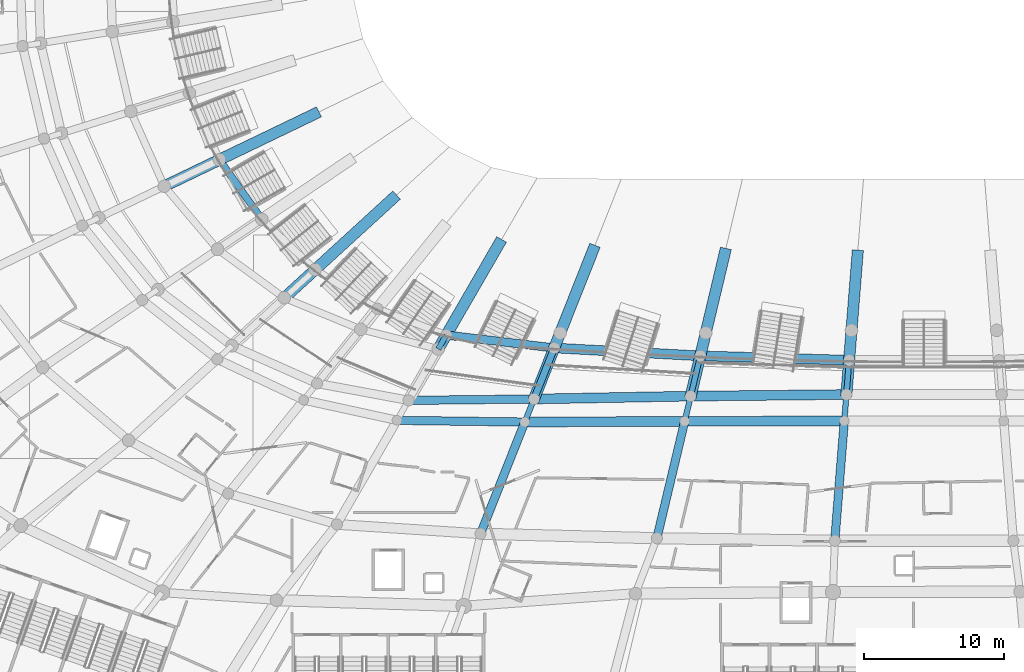
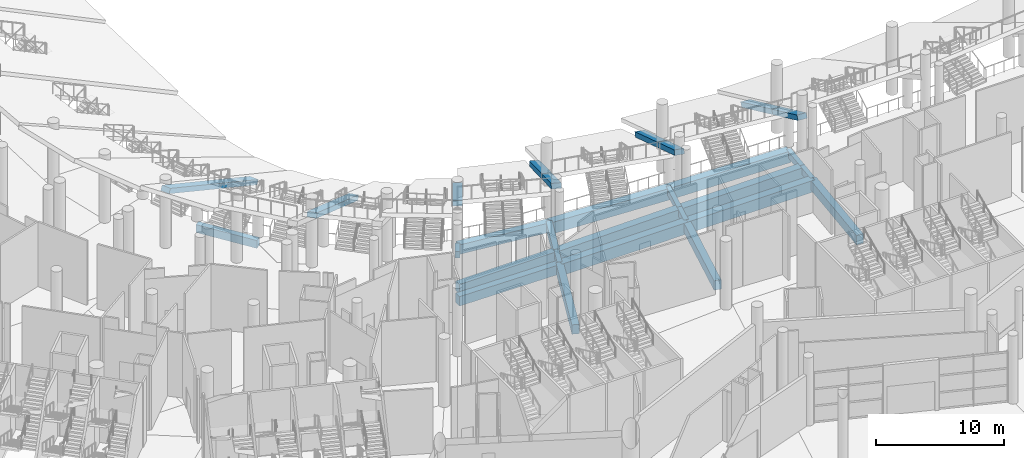
# One storey, part 23 of 255: 29 beams.
"""IFC4 building model written with IfcOpenShell, lengths in metres."""

from ifc_helpers import new_model, si_unit, direction, frame, origin, origin_2d, place, context, subcontext, project, spatial, rectangle, extrude, material, material_profile, profile_set, type_object, element, save


model = new_model("IFC4")

# Units and contexts
model_context = context("Model", 3, precision=1e-05, world=origin(), true_north=direction((0.0, 1.0)))
body_context = subcontext(model_context, "Body", "Model", "MODEL_VIEW")
ifc_project = project(units=[si_unit("LENGTHUNIT", "METRE"), si_unit("AREAUNIT", "SQUARE_METRE"), si_unit("VOLUMEUNIT", "CUBIC_METRE"), si_unit("PLANEANGLEUNIT", "RADIAN"), si_unit("MASSUNIT", "GRAM", prefix="KILO")], contexts=[model_context])

# Site, building, storey
site_placement = place(None, origin())
site = spatial("IfcSite", under=ifc_project, at=site_placement, CompositionType="ELEMENT")
building_placement = place(site_placement, origin())
building = spatial("IfcBuilding", under=site, at=building_placement, Name="Meseta Stadium", CompositionType="ELEMENT")
storey_placement = place(building_placement, origin())
storey = spatial("IfcBuildingStorey", under=building, at=storey_placement, Name="L00", CompositionType="ELEMENT", Elevation=0.0)

# Beams
ifc_material_1 = material(Name="Concrete C40/50", Category="concrete")
ifc_material_profile_1 = material_profile(ifc_material_1, rectangle(XDim=0.39990234375, YDim=0.60009765625, at=origin_2d()), Name="RC 400x600")
ifc_profile_set_1 = profile_set([ifc_material_profile_1], Name="Concrete C40/50")
beam_type_1 = type_object("IfcBeamType", Name="RC beam 400x600", PredefinedType="BEAM", material=ifc_profile_set_1)
beam_1_placement = place(storey_placement, frame((-34.185302734375, -71.16064453125, -0.699951171875), z_axis=(-0.500408466565, -0.865789447031, 0.0), x_axis=(0.865789447031, -0.500408466565, 0.0)))
element("IfcBeam", 1, at=beam_1_placement, inside=storey, type_object=beam_type_1, Name="L00 radial beam frame 43 line B to U", PredefinedType="BEAM", context=body_context, shape_type="SweptSolid", body=[
    extrude(rectangle(XDim=0.39990234375, YDim=0.60009765625, at=origin_2d()), origin(), (0.0, 0.0, 1.0), 1.14990234375),
])
beam_2_placement = place(storey_placement, frame((-27.910888671875, -75.735595703125, -0.699951171875), z_axis=(-0.368824744702, -0.929498955188, 0.0), x_axis=(0.929498955188, -0.368824744702, 0.0)))
element("IfcBeam", 2, at=beam_2_placement, inside=storey, type_object=beam_type_1, Name="L00 radial beam frame 44 line C to D", PredefinedType="BEAM", context=body_context, shape_type="SweptSolid", body=[
    extrude(rectangle(XDim=0.39990234375, YDim=0.60009765625, at=origin_2d()), origin(), (0.0, 0.0, 1.0), 1.772705078125),
])
beam_3_placement = place(storey_placement, frame((-16.010986328125, -72.646484375, -0.699951171875), z_axis=(-0.231665078312, -0.972795606225, 0.0), x_axis=(0.972795606225, -0.231665078312, 0.0)))
element("IfcBeam", 3, at=beam_3_placement, inside=storey, type_object=beam_type_1, Name="L00 radial beam frame 45 line B to C", PredefinedType="BEAM", context=body_context, shape_type="SweptSolid", body=[
    extrude(rectangle(XDim=0.39990234375, YDim=0.60009765625, at=origin_2d()), origin(), (0.0, 0.0, 1.0), 2.96337890625),
])
beam_4_placement = place(storey_placement, frame((-16.697509765625, -75.529296875, -0.699951171875), z_axis=(-0.231608653228, -0.97280904177, 0.0), x_axis=(0.97280904177, -0.231608653228, 0.0)))
element("IfcBeam", 4, at=beam_4_placement, inside=storey, type_object=beam_type_1, Name="L00 radial beam frame 45 line C to D", PredefinedType="BEAM", context=body_context, shape_type="SweptSolid", body=[
    extrude(rectangle(XDim=0.39990234375, YDim=0.60009765625, at=origin_2d()), origin(), (0.0, 0.0, 1.0), 1.85302734375),
])
beam_5_placement = place(storey_placement, frame((-5.36181640625, -72.959228515625, -0.699951171875), z_axis=(-0.079091287257, -0.996867377478, 0.0), x_axis=(0.996867377478, -0.079091287257, 0.0)))
element("IfcBeam", 5, at=beam_5_placement, inside=storey, type_object=beam_type_1, Name="L00 radial beam frame 46 line B to C", PredefinedType="BEAM", context=body_context, shape_type="SweptSolid", body=[
    extrude(rectangle(XDim=0.39990234375, YDim=0.60009765625, at=origin_2d()), origin(), (0.0, 0.0, 1.0), 2.46337890625),
])
beam_6_placement = place(storey_placement, frame((-5.556640625, -75.414794921875, -0.699951171875), z_axis=(-0.079110203973, -0.996865876448, 0.0), x_axis=(0.996865876448, -0.079110203973, 0.0)))
element("IfcBeam", 6, at=beam_6_placement, inside=storey, type_object=beam_type_1, Name="L00 radial beam frame 46 line C to D", PredefinedType="BEAM", context=body_context, shape_type="SweptSolid", body=[
    extrude(rectangle(XDim=0.39990234375, YDim=0.60009765625, at=origin_2d()), origin(), (0.0, 0.0, 1.0), 1.894775390625),
])
ifc_material_2 = material(Name="Concrete C40/50", Category="concrete")
ifc_material_profile_2 = material_profile(ifc_material_2, rectangle(XDim=0.5, YDim=0.75, at=origin_2d()), Name="RC 500x750")
ifc_profile_set_2 = profile_set([ifc_material_profile_2], Name="Concrete C40/50")
beam_type_2 = type_object("IfcBeamType", Name="RC beam 500x750", PredefinedType="BEAM", material=ifc_profile_set_2)
beam_7_placement = place(storey_placement, frame((-50.41650390625, -58.61474609375, -0.77490234375), z_axis=(0.579777051217, -0.814775165848, 0.0), x_axis=(0.814775165848, 0.579777051217, 0.0)))
element("IfcBeam", 7, at=beam_7_placement, inside=storey, type_object=beam_type_2, Name="L00 ring beam frame 39 line B", PredefinedType="BEAM", context=body_context, shape_type="SweptSolid", body=[
    extrude(rectangle(XDim=0.5, YDim=0.75, at=origin_2d()), origin(), (0.0, 0.0, 1.0), 5.235107421875),
])
beam_8_placement = place(storey_placement, frame((-26.461669921875, -72.08349609375, -0.77490234375), z_axis=(-0.368839555562, -0.929493078109, 0.0), x_axis=(0.929493078109, -0.368839555562, 0.0)))
element("IfcBeam", 8, at=beam_8_placement, inside=storey, type_object=beam_type_2, Name="L00 radial beam frame 44 line B to C", PredefinedType="BEAM", context=body_context, shape_type="SweptSolid", body=[
    extrude(rectangle(XDim=0.5, YDim=0.75, at=origin_2d()), origin(), (0.0, 0.0, 1.0), 3.92919921875),
])
ifc_material_3 = material(Name="Concrete C40/50", Category="concrete")
ifc_material_profile_3 = material_profile(ifc_material_3, rectangle(XDim=0.60009765625, YDim=0.89990234375, at=origin_2d()), Name="RC 600x900")
ifc_profile_set_3 = profile_set([ifc_material_profile_3], Name="Concrete C40/50")
beam_type_3 = type_object("IfcBeamType", Name="RC beam 600x900", PredefinedType="BEAM", material=ifc_profile_set_3)
beam_9_placement = place(storey_placement, frame((-34.185302734375, -71.16064453125, -0.85009765625), z_axis=(0.992937304474, -0.118640251957, 0.0), x_axis=(0.118640251957, 0.992937304474, 0.0)))
element("IfcBeam", 9, at=beam_9_placement, inside=storey, type_object=beam_type_3, Name="L00 ring beam frame 43 line B", PredefinedType="BEAM", context=body_context, shape_type="SweptSolid", body=[
    extrude(rectangle(XDim=0.60009765625, YDim=0.89990234375, at=origin_2d()), origin(), (0.0, 0.0, 1.0), 7.778564453125),
])
beam_10_placement = place(storey_placement, frame((-36.885986328125, -75.8330078125, -0.85009765625), z_axis=(0.9999411049, 0.010852959601, 0.0), x_axis=(-0.010852959601, 0.9999411049, 0.0)))
element("IfcBeam", 10, at=beam_10_placement, inside=storey, type_object=beam_type_3, Name="L00 ring beam frame 43 line C", PredefinedType="BEAM", context=body_context, shape_type="SweptSolid", body=[
    extrude(rectangle(XDim=0.60009765625, YDim=0.89990234375, at=origin_2d()), origin(), (0.0, 0.0, 1.0), 8.9755859375),
])
beam_11_placement = place(storey_placement, frame((-37.711669921875, -77.26171875, -0.85009765625), z_axis=(0.999911672388, -0.013290877405, 0.0), x_axis=(0.013290877405, 0.999911672388, 0.0)))
element("IfcBeam", 11, at=beam_11_placement, inside=storey, type_object=beam_type_3, Name="L00 ring beam frame 43 line D", PredefinedType="BEAM", context=body_context, shape_type="SweptSolid", body=[
    extrude(rectangle(XDim=0.60009765625, YDim=0.89990234375, at=origin_2d()), origin(), (0.0, 0.0, 1.0), 9.147705078125),
])
beam_12_placement = place(storey_placement, frame((-28.564697265625, -77.38330078125, -0.85009765625), z_axis=(-0.36885875695, -0.929485458424, 0.0), x_axis=(0.929485458424, -0.36885875695, 0.0)))
element("IfcBeam", 12, at=beam_12_placement, inside=storey, type_object=beam_type_3, Name="L00 radial beam frame 44 line D to E", PredefinedType="BEAM", context=body_context, shape_type="SweptSolid", body=[
    extrude(rectangle(XDim=0.60009765625, YDim=0.89990234375, at=origin_2d()), origin(), (0.0, 0.0, 1.0), 8.599853515625),
])
beam_13_placement = place(storey_placement, frame((-17.126708984375, -77.33203125, -0.85009765625), z_axis=(-0.23161924801, -0.972806519279, 0.0), x_axis=(0.972806519279, -0.23161924801, 0.0)))
element("IfcBeam", 13, at=beam_13_placement, inside=storey, type_object=beam_type_3, Name="L00 radial beam frame 45 line D to E", PredefinedType="BEAM", context=body_context, shape_type="SweptSolid", body=[
    extrude(rectangle(XDim=0.60009765625, YDim=0.89990234375, at=origin_2d()), origin(), (0.0, 0.0, 1.0), 8.60009765625),
])
beam_14_placement = place(storey_placement, frame((-5.70654296875, -77.3037109375, -0.85009765625), z_axis=(-0.079118987749, -0.996865179338, 0.0), x_axis=(0.996865179338, -0.079118987749, 0.0)))
element("IfcBeam", 14, at=beam_14_placement, inside=storey, type_object=beam_type_3, Name="L00 radial beam frame 46 line D to E", PredefinedType="BEAM", context=body_context, shape_type="SweptSolid", body=[
    extrude(rectangle(XDim=0.60009765625, YDim=0.89990234375, at=origin_2d()), origin(), (0.0, 0.0, 1.0), 8.599853515625),
])
ifc_material_4 = material(Name="Concrete C40/50", Category="concrete")
ifc_material_profile_4 = material_profile(ifc_material_4, rectangle(XDim=0.699951171875, YDim=1.10009765625, at=origin_2d()), Name="RC 700x1100")
ifc_profile_set_4 = profile_set([ifc_material_profile_4], Name="Concrete C40/50")
beam_type_4 = type_object("IfcBeamType", Name="RC beam 700x1100", PredefinedType="BEAM", material=ifc_profile_set_4)
beam_15_placement = place(storey_placement, frame((-26.461669921875, -72.08349609375, -0.949951171875), z_axis=(0.998552110885, -0.053792953504, 0.0), x_axis=(0.053792953504, 0.998552110885, 0.0)))
element("IfcBeam", 15, at=beam_15_placement, inside=storey, type_object=beam_type_4, Name="L00 ring beam frame 44 line B", PredefinedType="BEAM", context=body_context, shape_type="SweptSolid", body=[
    extrude(rectangle(XDim=0.699951171875, YDim=1.10009765625, at=origin_2d()), origin(), (0.0, 0.0, 1.0), 10.4658203125),
])
beam_16_placement = place(storey_placement, frame((-27.910888671875, -75.735595703125, -0.949951171875), z_axis=(0.999830807814, 0.018394448783, 0.0), x_axis=(-0.018394448783, 0.999830807814, 0.0)))
element("IfcBeam", 16, at=beam_16_placement, inside=storey, type_object=beam_type_4, Name="L00 ring beam frame 44 line C", PredefinedType="BEAM", context=body_context, shape_type="SweptSolid", body=[
    extrude(rectangle(XDim=0.699951171875, YDim=1.10009765625, at=origin_2d()), origin(), (0.0, 0.0, 1.0), 11.21533203125),
])
beam_17_placement = place(storey_placement, frame((-28.564697265625, -77.38330078125, -0.949951171875), z_axis=(0.999989954239, 0.004482345579, 0.0), x_axis=(-0.004482345579, 0.999989954239, 0.0)))
element("IfcBeam", 17, at=beam_17_placement, inside=storey, type_object=beam_type_4, Name="L00 ring beam frame 44 line D", PredefinedType="BEAM", context=body_context, shape_type="SweptSolid", body=[
    extrude(rectangle(XDim=0.699951171875, YDim=1.10009765625, at=origin_2d()), origin(), (0.0, 0.0, 1.0), 11.43798828125),
])
beam_18_placement = place(storey_placement, frame((-16.010986328125, -72.646484375, -0.949951171875), z_axis=(0.999569040917, -0.029355279612, 0.0), x_axis=(0.029355279612, 0.999569040917, 0.0)))
element("IfcBeam", 18, at=beam_18_placement, inside=storey, type_object=beam_type_4, Name="L00 ring beam frame 45 line B", PredefinedType="BEAM", context=body_context, shape_type="SweptSolid", body=[
    extrude(rectangle(XDim=0.699951171875, YDim=1.10009765625, at=origin_2d()), origin(), (0.0, 0.0, 1.0), 10.65380859375),
])
beam_19_placement = place(storey_placement, frame((-16.697509765625, -75.529296875, -0.949951171875), z_axis=(0.99994718914, 0.010277107175, 0.0), x_axis=(-0.010277107175, 0.99994718914, 0.0)))
element("IfcBeam", 19, at=beam_19_placement, inside=storey, type_object=beam_type_4, Name="L00 ring beam frame 45 line C", PredefinedType="BEAM", context=body_context, shape_type="SweptSolid", body=[
    extrude(rectangle(XDim=0.699951171875, YDim=1.10009765625, at=origin_2d()), origin(), (0.0, 0.0, 1.0), 11.141357421875),
])
beam_20_placement = place(storey_placement, frame((-17.126708984375, -77.33203125, -0.949951171875), z_axis=(0.999996925183, 0.002479843584, 0.0), x_axis=(-0.002479843584, 0.999996925183, 0.0)))
element("IfcBeam", 20, at=beam_20_placement, inside=storey, type_object=beam_type_4, Name="L00 ring beam frame 45 line D", PredefinedType="BEAM", context=body_context, shape_type="SweptSolid", body=[
    extrude(rectangle(XDim=0.699951171875, YDim=1.10009765625, at=origin_2d()), origin(), (0.0, 0.0, 1.0), 11.420166015625),
])
ifc_material_5 = material(Name="Concrete C40/50", Category="concrete")
ifc_material_profile_5 = material_profile(ifc_material_5, rectangle(XDim=0.800048828125, YDim=0.449951171875, at=origin_2d()), Name="RC 800x450")
ifc_profile_set_5 = profile_set([ifc_material_profile_5], Name="Concrete C40/50")
beam_type_5 = type_object("IfcBeamType", Name="RC raker lower 800x450", PredefinedType="USERDEFINED", material=ifc_profile_set_5)
beam_21_placement = place(storey_placement, frame((-43.38720703125, -55.234130859375, -0.869873046875), z_axis=(-0.803235737303, -0.386307761742, 0.453407833565), x_axis=(0.433419038338, -0.901192508405, 0.0)))
element("IfcBeam", 21, at=beam_21_placement, inside=storey, type_object=beam_type_5, Name="Raker lower frame 39 lower tier", ObjectType="RAKER", PredefinedType="USERDEFINED", context=body_context, shape_type="SweptSolid", body=[
    extrude(rectangle(XDim=0.800048828125, YDim=0.449951171875, at=origin_2d()), origin(), (0.0, 0.0, 1.0), 13.666015625),
])
beam_22_placement = place(storey_placement, frame((-37.816162109375, -61.2119140625, -0.74169921875), z_axis=(-0.65744286386, -0.601856198758, 0.453362985671), x_axis=(0.675236907747, -0.737600920834, 0.0)))
element("IfcBeam", 22, at=beam_22_placement, inside=storey, type_object=beam_type_5, Name="Raker lower frame 41 lower tier", ObjectType="RAKER", PredefinedType="USERDEFINED", context=body_context, shape_type="SweptSolid", body=[
    extrude(rectangle(XDim=0.800048828125, YDim=0.449951171875, at=origin_2d()), origin(), (0.0, 0.0, 1.0), 12.10888671875),
])
beam_23_placement = place(storey_placement, frame((-30.28173828125, -64.40771484375, -0.35009765625), z_axis=(-0.446051134822, -0.771654361549, 0.453418053706), x_axis=(0.865764748556, -0.500451196579, 0.0)))
element("IfcBeam", 23, at=beam_23_placement, inside=storey, type_object=beam_type_5, Name="Raker lower frame 43 lower tier", ObjectType="RAKER", PredefinedType="USERDEFINED", context=body_context, shape_type="SweptSolid", body=[
    extrude(rectangle(XDim=0.800048828125, YDim=0.449951171875, at=origin_2d()), origin(), (0.0, 0.0, 1.0), 10.04150390625),
])
beam_24_placement = place(storey_placement, frame((-23.584716796875, -64.83349609375, -0.331298828125), z_axis=(-0.328763872797, -0.828437838917, 0.453436944894), x_axis=(0.929483518475, -0.368863645381, 0.0)))
element("IfcBeam", 24, at=beam_24_placement, inside=storey, type_object=beam_type_5, Name="Raker lower frame 44 lower tier", ObjectType="RAKER", PredefinedType="USERDEFINED", context=body_context, shape_type="SweptSolid", body=[
    extrude(rectangle(XDim=0.800048828125, YDim=0.449951171875, at=origin_2d()), origin(), (0.0, 0.0, 1.0), 7.4609375),
])
beam_25_placement = place(storey_placement, frame((-26.03759765625, -71.014404296875, 3.0517578125), z_axis=(-0.32871917262, -0.82845971069, 0.453429391764), x_axis=(0.929504050657, -0.368811903025, 0.0)))
element("IfcBeam", 25, at=beam_25_placement, inside=storey, type_object=beam_type_5, Name="Raker lower frame 44 lower tier", ObjectType="RAKER", PredefinedType="USERDEFINED", context=body_context, shape_type="SweptSolid", body=[
    extrude(rectangle(XDim=0.800048828125, YDim=0.449951171875, at=origin_2d()), origin(), (0.0, 0.0, 1.0), 5.69873046875),
])
beam_26_placement = place(storey_placement, frame((-14.204345703125, -65.05859375, -0.65478515625), z_axis=(-0.206461177483, -0.867115598416, 0.453303784647), x_axis=(0.972804929857, -0.231625923517, 0.0)))
element("IfcBeam", 26, at=beam_26_placement, inside=storey, type_object=beam_type_5, Name="Raker lower frame 45 lower tier", ObjectType="RAKER", PredefinedType="USERDEFINED", context=body_context, shape_type="SweptSolid", body=[
    extrude(rectangle(XDim=0.800048828125, YDim=0.449951171875, at=origin_2d()), origin(), (0.0, 0.0, 1.0), 6.862060546875),
])
beam_27_placement = place(storey_placement, frame((-15.62109375, -71.0087890625, 2.455810546875), z_axis=(-0.206482744858, -0.867143230619, 0.453241098829), x_axis=(0.972801141001, -0.231641835746, 0.0)))
element("IfcBeam", 27, at=beam_27_placement, inside=storey, type_object=beam_type_5, Name="Raker lower frame 45 lower tier", ObjectType="RAKER", PredefinedType="USERDEFINED", context=body_context, shape_type="SweptSolid", body=[
    extrude(rectangle(XDim=0.800048828125, YDim=0.449951171875, at=origin_2d()), origin(), (0.0, 0.0, 1.0), 5.213134765625),
])
beam_28_placement = place(storey_placement, frame((-4.74462890625, -65.18359375, -1.001708984375), z_axis=(-0.070539823513, -0.888632542225, 0.453162595762), x_axis=(0.996864204144, -0.079131273823, 0.0)))
element("IfcBeam", 28, at=beam_28_placement, inside=storey, type_object=beam_type_5, Name="Raker lower frame 46 lower tier", ObjectType="RAKER", PredefinedType="USERDEFINED", context=body_context, shape_type="SweptSolid", body=[
    extrude(rectangle(XDim=0.800048828125, YDim=0.449951171875, at=origin_2d()), origin(), (0.0, 0.0, 1.0), 6.347412109375),
])
beam_29_placement = place(storey_placement, frame((-5.1923828125, -70.82421875, 1.874755859375), z_axis=(-0.070510288867, -0.888609223564, 0.453212915704), x_axis=(0.99686665348, -0.079100412008, 0.0)))
element("IfcBeam", 29, at=beam_29_placement, inside=storey, type_object=beam_type_5, Name="Raker lower frame 46 lower tier", ObjectType="RAKER", PredefinedType="USERDEFINED", context=body_context, shape_type="SweptSolid", body=[
    extrude(rectangle(XDim=0.800048828125, YDim=0.449951171875, at=origin_2d()), origin(), (0.0, 0.0, 1.0), 5.166015625),
])

save(model, "model.ifc")
